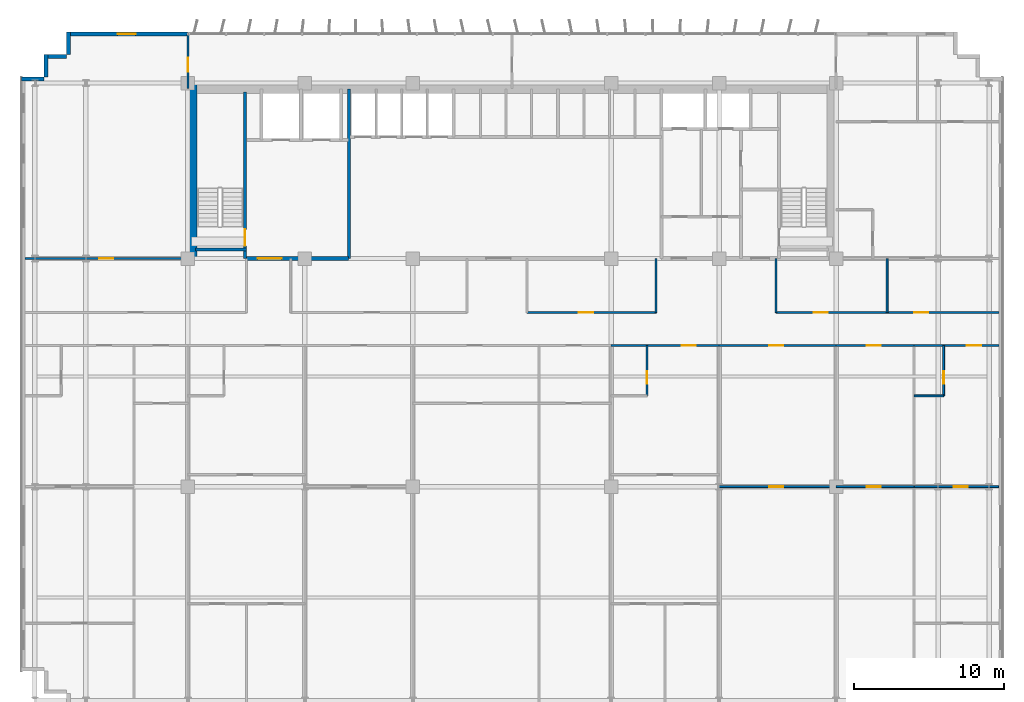
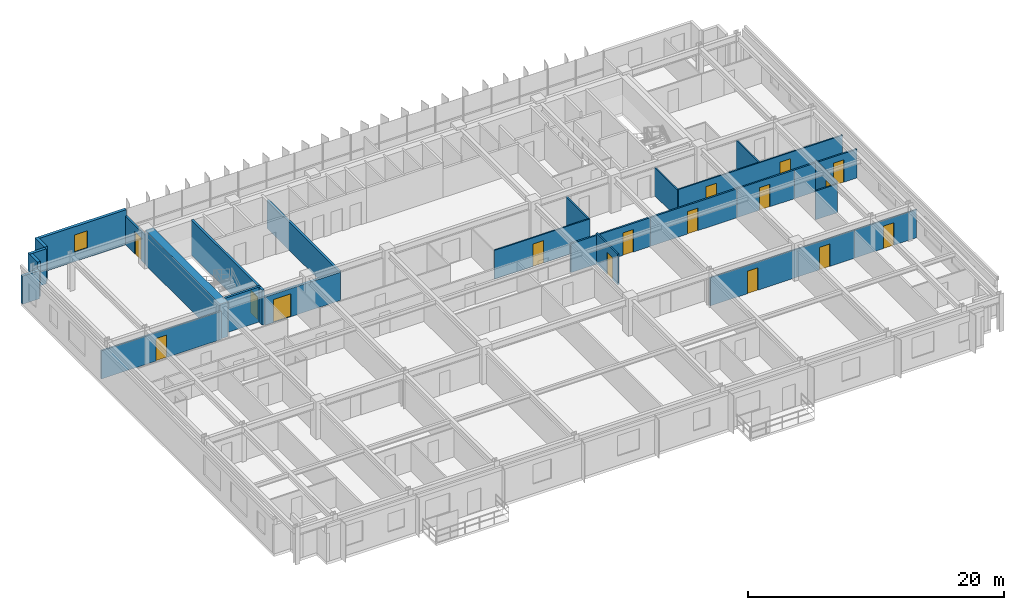
# One storey, part 17 of 22: 27 walls, 16 doors, 1 window, 17 openings.
"""IFC4 building model written with IfcOpenShell, lengths in metres."""

import ifcopenshell
import ifcopenshell.guid

model = None  # the IFC model being written
_history = None  # IfcOwnerHistory: only IFC2X3 demands one
_inside = {}  # id of a spatial element -> (the spatial element, [elements in it])
_under = {}  # id of a project, library or spatial element -> (it, [spatial elements below it])
_declared = {}  # id of a project -> (the project, [libraries it declares])
_typed = {}  # id of a type object -> (the type object, [elements of that type])
_made_of = {}  # id of a material, layer set ... -> (it, [elements and type objects made of it])


def new_model(schema):
    """Start an empty IFC model of exactly this schema.

    Asked for "IFC4X3", IfcOpenShell would pick the latest addendum, in which some entities
    have other attributes; the version numbers below select the first issue.
    IFC2X3 requires an IfcOwnerHistory on every rooted entity: one is made here for all.
    """
    global model, _history
    if schema == "IFC4X3":
        model = ifcopenshell.file(schema_version=(4, 3, 0, 0))
    else:
        model = ifcopenshell.file(schema=schema)
    _inside.clear()
    _under.clear()
    _declared.clear()
    _typed.clear()
    _made_of.clear()
    _history = None
    if model.schema == "IFC2X3":
        org = make("IfcOrganization", Name="unknown")
        user = make(
            "IfcPersonAndOrganization",
            ThePerson=make("IfcPerson", FamilyName="unknown"),
            TheOrganization=org,
        )
        app = make(
            "IfcApplication",
            ApplicationDeveloper=org,
            Version="unknown",
            ApplicationFullName="unknown",
            ApplicationIdentifier="unknown",
        )
        _history = make(
            "IfcOwnerHistory",
            OwningUser=user,
            OwningApplication=app,
            ChangeAction="ADDED",
            CreationDate=0,
        )
    return model


def make(cls, **values):
    """One entity of the class cls with the attributes given. An attribute that is None is left unset."""
    return model.create_entity(
        cls, **{name: value for name, value in values.items() if value is not None}
    )


def rooted(cls, **values):
    """An entity with a GlobalId (a new one), such as an element, a storey or a relation."""
    return make(cls, GlobalId=ifcopenshell.guid.new(), OwnerHistory=_history, **values)


def si_unit(unit_type, name, prefix=None):
    """IfcSIUnit, for example si_unit("LENGTHUNIT", "METRE", prefix="MILLI")."""
    return make("IfcSIUnit", UnitType=unit_type, Prefix=prefix, Name=name)


def assignment(units):
    """IfcUnitAssignment: the units of a project."""
    return None if units is None else make("IfcUnitAssignment", Units=units)


def point(xyz):
    """IfcCartesianPoint."""
    return None if xyz is None else make("IfcCartesianPoint", Coordinates=xyz)


def direction(xyz):
    """IfcDirection."""
    return None if xyz is None else make("IfcDirection", DirectionRatios=xyz)


def frame(location, z_axis=None, x_axis=None):
    """IfcAxis2Placement3D, a coordinate frame: its origin and axes. An axis left out is left unset."""
    return make(
        "IfcAxis2Placement3D",
        Location=point(location),
        Axis=direction(z_axis),
        RefDirection=direction(x_axis),
    )


def frame_2d(location, x_axis=None):
    """IfcAxis2Placement2D, a coordinate frame in the plane: its origin and x axis."""
    return make(
        "IfcAxis2Placement2D", Location=point(location), RefDirection=direction(x_axis)
    )


def origin():
    """The frame at (0, 0, 0) with its axes left unset."""
    return frame((0.0, 0.0, 0.0))


def place(relative_to, where):
    """IfcLocalPlacement: puts the frame where relative to a parent placement (None: the world)."""
    return make(
        "IfcLocalPlacement", PlacementRelTo=relative_to, RelativePlacement=where
    )


def context(
    kind, dimensions, precision=None, world=None, true_north=None, identifier=None
):
    """IfcGeometricRepresentationContext, for example the 3D "Model" context."""
    return make(
        "IfcGeometricRepresentationContext",
        ContextIdentifier=identifier,
        ContextType=kind,
        CoordinateSpaceDimension=dimensions,
        Precision=precision,
        WorldCoordinateSystem=world,
        TrueNorth=true_north,
    )


def subcontext(parent, identifier, kind, view, scale=None):
    """IfcGeometricRepresentationSubContext, for example "Body" below "Model"."""
    return make(
        "IfcGeometricRepresentationSubContext",
        ContextIdentifier=identifier,
        ContextType=kind,
        ParentContext=parent,
        TargetScale=scale,
        TargetView=view,
    )


def project(units=None, contexts=None):
    """IfcProject with its units and contexts."""
    return rooted(
        "IfcProject",
        Name="project",
        RepresentationContexts=contexts,
        UnitsInContext=assignment(units),
    )


def spatial(cls, under=None, at=None, **own):
    """A site, building, storey or space (cls), placed at a placement, below another one or the project."""
    s = rooted(cls, ObjectPlacement=at, **own)
    if under is not None:
        _under.setdefault(under.id(), (under, []))[1].append(s)
    return s


def profile(cls, at=None, kind="AREA", **sizes):
    """A parametric profile (cls). Its sizes go by their IFC names, for example OverallWidth=200.0."""
    return make(cls, ProfileType=kind, Position=at, **sizes)


def rectangle(**sizes):
    """IfcRectangleProfileDef."""
    return profile("IfcRectangleProfileDef", **sizes)


def extrude(swept, where, along, depth):
    """IfcExtrudedAreaSolid: the profile swept, set in the frame where, extruded along a direction by depth."""
    return make(
        "IfcExtrudedAreaSolid",
        SweptArea=swept,
        Position=where,
        ExtrudedDirection=direction(along),
        Depth=depth,
    )


def shape(context_of_items, identifier, shape_type, items):
    """IfcShapeRepresentation: the items that make up one representation, for example the "Body"."""
    return make(
        "IfcShapeRepresentation",
        ContextOfItems=context_of_items,
        RepresentationIdentifier=identifier,
        RepresentationType=shape_type,
        Items=items,
    )


def source(mapping_origin, context_of_items, identifier, shape_type, items):
    """IfcRepresentationMap: a shape defined once, which mapped items show again and again."""
    return make(
        "IfcRepresentationMap",
        MappingOrigin=mapping_origin,
        MappedRepresentation=shape(context_of_items, identifier, shape_type, items),
    )


def transform(
    local_origin,
    x_axis=None,
    y_axis=None,
    z_axis=None,
    scale=None,
    scale2=None,
    scale3=None,
    uniform=True,
):
    """IfcCartesianTransformationOperator3D, or its non-uniform kind. x_axis, y_axis, z_axis: its Axis1, 2, 3."""
    if uniform:
        return make(
            "IfcCartesianTransformationOperator3D",
            Axis1=direction(x_axis),
            Axis2=direction(y_axis),
            LocalOrigin=point(local_origin),
            Scale=scale,
            Axis3=direction(z_axis),
        )
    return make(
        "IfcCartesianTransformationOperator3DnonUniform",
        Axis1=direction(x_axis),
        Axis2=direction(y_axis),
        LocalOrigin=point(local_origin),
        Scale=scale,
        Axis3=direction(z_axis),
        Scale2=scale2,
        Scale3=scale3,
    )


def mapped(mapping_source, mapping_target):
    """IfcMappedItem: shows the shape of a source again, moved by a transform."""
    return make(
        "IfcMappedItem", MappingSource=mapping_source, MappingTarget=mapping_target
    )


def material(Name=None, Category=None):
    """IfcMaterial."""
    return make("IfcMaterial", Name=Name, Category=Category)


def layer(
    of_material, thickness, ventilated=None, Name=None, Category=None, Priority=None
):
    """IfcMaterialLayer: one layer of a wall or slab, of a material (None: an air gap)."""
    return make(
        "IfcMaterialLayer",
        Material=of_material,
        LayerThickness=thickness,
        IsVentilated=ventilated,
        Name=Name,
        Category=Category,
        Priority=Priority,
    )


def layer_set(layers, Name=None):
    """IfcMaterialLayerSet."""
    return make("IfcMaterialLayerSet", MaterialLayers=layers, LayerSetName=Name)


def made_of(thing, what):
    """Note that an element or type object is made of a material, layer set ...; save() writes the relation."""
    if what is not None:
        _made_of.setdefault(what.id(), (what, []))[1].append(thing)
    return thing


def type_object(cls, material=None, **own):
    """A type object (cls), such as IfcWallType, which elements share."""
    return made_of(rooted(cls, **own), material)


def element(
    cls,
    number,
    at=None,
    inside=None,
    cuts=None,
    type_object=None,
    material=None,
    context=None,
    identifier="Body",
    shape_type=None,
    held_by="IfcProductDefinitionShape",
    body=None,
    shapes=None,
    **own,
):
    """One element of the class cls, such as IfcWall. Its Tag is "e" and its number.

    at: its placement. inside: the storey or other place that contains it. cuts: it is an
    opening in that element (IfcRelVoidsElement). A single representation is given by context,
    identifier, shape_type and body (its items); several are given by shapes. held_by: the class
    of the entity that holds the representations. save() writes the other relations.
    """
    e = rooted(cls, Tag="e%d" % number, ObjectPlacement=at, **own)
    if body is not None:
        shapes = [shape(context, identifier, shape_type, body)]
    if shapes is not None:
        e.Representation = make(held_by, Representations=shapes)
    if inside is not None:
        _inside.setdefault(inside.id(), (inside, []))[1].append(e)
    if cuts is not None:
        rooted(
            "IfcRelVoidsElement", RelatingBuildingElement=cuts, RelatedOpeningElement=e
        )
    if type_object is not None:
        _typed.setdefault(type_object.id(), (type_object, []))[1].append(e)
    return made_of(e, material)


def fill(opening, filler):
    """IfcRelFillsElement: the door or window that sits in an opening."""
    return rooted(
        "IfcRelFillsElement",
        RelatingOpeningElement=opening,
        RelatedBuildingElement=filler,
    )


def aggregate(whole, parts):
    """IfcRelAggregates: a whole, such as a stair, and the parts it consists of."""
    return rooted("IfcRelAggregates", RelatingObject=whole, RelatedObjects=parts)


def save(model, path):
    """Write the relations noted so far, then the file.

    IfcRelAggregates (storeys below a building ...), IfcRelContainedInSpatialStructure (elements
    in a storey), IfcRelDefinesByType, IfcRelAssociatesMaterial and IfcRelDeclares: one each for
    every whole, place, type object, material and project.
    """
    for whole, parts in _under.values():
        aggregate(whole, parts)
    for where, things in _inside.values():
        rooted(
            "IfcRelContainedInSpatialStructure",
            RelatedElements=things,
            RelatingStructure=where,
        )
    for kind, things in _typed.values():
        rooted("IfcRelDefinesByType", RelatedObjects=things, RelatingType=kind)
    for what, things in _made_of.values():
        rooted("IfcRelAssociatesMaterial", RelatedObjects=things, RelatingMaterial=what)
    for by, libraries in _declared.values():
        rooted("IfcRelDeclares", RelatingContext=by, RelatedDefinitions=libraries)
    model.write(path)


model = new_model("IFC4")

# Units and contexts
model_context = context("Model", 3, precision=1e-05, world=origin(), true_north=direction((0.0, 1.0)))
body_context = subcontext(model_context, "Body", "Model", "MODEL_VIEW")
ifc_project = project(units=[si_unit("LENGTHUNIT", "METRE"), si_unit("AREAUNIT", "SQUARE_METRE"), si_unit("VOLUMEUNIT", "CUBIC_METRE"), si_unit("PLANEANGLEUNIT", "RADIAN"), si_unit("MASSUNIT", "GRAM", prefix="KILO")], contexts=[model_context])

# Site, building, storey
site_placement = place(None, origin())
site = spatial("IfcSite", under=ifc_project, at=site_placement, CompositionType="ELEMENT")
building_placement = place(site_placement, origin())
building = spatial("IfcBuilding", under=site, at=building_placement, Name="Trelvane Seafront Commons", CompositionType="ELEMENT")
storey_placement = place(building_placement, frame((0.0, 0.0, 48.699951171875)))
storey = spatial("IfcBuildingStorey", under=building, at=storey_placement, Name="L12", CompositionType="ELEMENT", Elevation=48.699951171875)

# Wall, opening, window
ifc_material_1 = material(Name="Precast concrete C40/50", Category="concrete")
ifc_layer_1 = layer(ifc_material_1, 0.260009765625, Name="ARCH-WALL-EXT260")
ifc_layer_set_1 = layer_set([ifc_layer_1], Name="Precast concrete C40/50")
wall_type_1 = type_object("IfcWallType", Name="ARCH-WALL-EXT260", PredefinedType="SOLIDWALL", material=ifc_layer_set_1)
wall_1_placement = place(storey_placement, frame((7.60009765625, 48.3701171875, 0.0), z_axis=(0.0, 0.0, 1.0), x_axis=(1.0, 0.0, 0.0)))
wall_1 = element("IfcWall", 1, at=wall_1_placement, inside=storey, type_object=wall_type_1, Name="EW-L12-NW-0192", PredefinedType="SOLIDWALL", context=body_context, shape_type="SweptSolid", body=[
    extrude(rectangle(XDim=8.0, YDim=0.260009765625, at=frame_2d((4.0, 0.0))), origin(), (0.0, 0.0, 1.0), 3.340087890625),
])
opening_1_placement = place(wall_1_placement, frame((3.30810546875, 0.0, 0.89990234375)))
opening_1 = element("IfcOpeningElement", 2, at=opening_1_placement, cuts=wall_1, Name="Opening W05", PredefinedType="OPENING", context=body_context, shape_type="SweptSolid", body=[
    extrude(rectangle(XDim=1.199951171875, YDim=1.64990234375, at=frame_2d((0.60009765625, 0.824951171875))), frame((0.0, 0.139892578125, 0.0), z_axis=(0.0, -1.0, 0.0), x_axis=(1.0, 0.0, 0.0)), (0.0, 0.0, 1.0), 0.280029296875),
])
ifc_material_2 = material(Name="Low-E coastal double glazing", Category="glass")
window_type = type_object("IfcWindowType", Name="ARCH-WIN-W05", PartitioningType="SINGLE_PANEL", PredefinedType="WINDOW", material=ifc_material_2)
shared_shape_1 = source(origin(), body_context, "Body", "SweptSolid", [
    extrude(rectangle(XDim=1.199951171875, YDim=1.64990234375, at=frame_2d((0.60009765625, 0.824951171875))), frame((0.0, 0.030029296875, 0.0), z_axis=(0.0, -1.0, 0.0), x_axis=(1.0, 0.0, 0.0)), (0.0, 0.0, 1.0), 0.06005859375),
])
window_placement = place(opening_1_placement, origin())
window = element("IfcWindow", 3, at=window_placement, inside=storey, type_object=window_type, Name="WIN-L12-00236", OverallHeight=1.64990234375, OverallWidth=1.199951171875, PartitioningType="SINGLE_PANEL", PredefinedType="WINDOW", context=body_context, shape_type="MappedRepresentation", body=[
    mapped(shared_shape_1, transform((0.0, 0.0, 0.0), x_axis=(1.0, 0.0, 0.0), y_axis=(0.0, 1.0, 0.0), z_axis=(0.0, 0.0, 1.0), scale=1.0)),
])
fill(opening_1, window)

# Walls
wall_2_placement = place(storey_placement, frame((4.5, 45.3701171875, 0.0), z_axis=(0.0, 0.0, 1.0), x_axis=(1.0, 0.0, 0.0)))
element("IfcWall", 4, at=wall_2_placement, inside=storey, type_object=wall_type_1, Name="EW-L12-00198", PredefinedType="SOLIDWALL", context=body_context, shape_type="SweptSolid", body=[
    extrude(rectangle(XDim=1.5, YDim=0.260009765625, at=frame_2d((0.75, 0.0))), origin(), (0.0, 0.0, 1.0), 2.68994140625),
])
for number, where, z_axis, x_axis, name in (
    (5, (6.1298828125, 45.5, 0.0), (0.0, 0.0, 1.0), (0.0, 1.0, 0.0), "EW-L12-00199"),
    (6, (6.0, 46.8701171875, 0.0), (0.0, 0.0, 1.0), (1.0, 0.0, 0.0), "EW-L12-00200"),
    (7, (7.6298828125, 47.0, 0.0), (0.0, 0.0, 1.0), (0.0, 1.0, 0.0), "EW-L12-00201"),
):
    element("IfcWall", number, at=place(storey_placement, frame(where, z_axis=z_axis, x_axis=x_axis)), inside=storey, type_object=wall_type_1, Name=name, PredefinedType="SOLIDWALL", context=body_context, shape_type="SweptSolid", body=[
        extrude(rectangle(XDim=1.5, YDim=0.260009765625, at=frame_2d((0.75, 0.0))), origin(), (0.0, 0.0, 1.0), 3.340087890625),
    ])

# Wall, opening, door
ifc_material_3 = material(Name="Concrete C40/50", Category="concrete")
ifc_layer_2 = layer(ifc_material_3, 0.25, Name="ARCH-WALL-FIRE250")
ifc_layer_set_2 = layer_set([ifc_layer_2], Name="Concrete C40/50")
wall_type_2 = type_object("IfcWallType", Name="ARCH-WALL-FIRE250", PredefinedType="PARTITIONING", material=ifc_layer_set_2)
wall_3_placement = place(storey_placement, frame((19.5, 33.39990234375, 0.0), z_axis=(0.0, 0.0, 1.0), x_axis=(1.0, 0.0, 0.0)))
wall_3 = element("IfcWall", 8, at=wall_3_placement, inside=storey, type_object=wall_type_2, Name="W-L12-CS-FFL-013", PredefinedType="PARTITIONING", context=body_context, shape_type="SweptSolid", body=[
    extrude(rectangle(XDim=6.800048828125, YDim=0.25, at=frame_2d((3.39990234375, 0.0))), origin(), (0.0, 0.0, 1.0), 2.68994140625),
])
opening_2_placement = place(wall_3_placement, frame((0.75, 0.0, 0.0)))
opening_2 = element("IfcOpeningElement", 9, at=opening_2_placement, cuts=wall_3, Name="Opening FD-L12-05", PredefinedType="OPENING", context=body_context, shape_type="SweptSolid", body=[
    extrude(rectangle(XDim=1.60009765625, YDim=2.199951171875, at=frame_2d((0.800048828125, 1.10009765625))), frame((0.0, 0.135009765625, 0.0), z_axis=(0.0, -1.0, 0.0), x_axis=(1.0, 0.0, 0.0)), (0.0, 0.0, 1.0), 0.27001953125),
])
ifc_material_4 = material(Name="Powder-coated aluminium frame", Category="aluminium")
door_type_1 = type_object("IfcDoorType", Name="ARCH-DR-FD60-1600", OperationType="DOUBLE_DOOR_SINGLE_SWING", PredefinedType="DOOR", material=ifc_material_4)
shared_shape_2 = source(origin(), body_context, "Body", "SweptSolid", [
    extrude(rectangle(XDim=1.60009765625, YDim=2.199951171875, at=frame_2d((0.800048828125, 1.10009765625))), frame((0.0, 0.02490234375, 0.0), z_axis=(0.0, -1.0, 0.0), x_axis=(1.0, 0.0, 0.0)), (0.0, 0.0, 1.0), 0.050048828125),
])
door_1_placement = place(opening_2_placement, origin())
door_1 = element("IfcDoor", 10, at=door_1_placement, inside=storey, type_object=door_type_1, Name="L12 Firefighting Lift Lobby Double Fire Door", OperationType="DOUBLE_DOOR_SINGLE_SWING", OverallHeight=2.199951171875, OverallWidth=1.60009765625, PredefinedType="DOOR", context=body_context, shape_type="MappedRepresentation", body=[
    mapped(shared_shape_2, transform((0.0, 0.0, 0.0), x_axis=(1.0, 0.0, 0.0), y_axis=(0.0, 1.0, 0.0), z_axis=(0.0, 0.0, 1.0), scale=1.0)),
])
fill(opening_2, door_1)

ifc_material_5 = material(Name="Gypsum Drywall Acoustic Partition")
ifc_layer_3 = layer(ifc_material_5, 0.1201171875, Name="ARCH-WALL-PART120")
ifc_layer_set_3 = layer_set([ifc_layer_3], Name="Gypsum Drywall Acoustic Partition")
wall_type_3 = type_object("IfcWallType", Name="ARCH-WALL-PART120", PredefinedType="PARTITIONING", material=ifc_layer_set_3)
wall_4_placement = place(storey_placement, frame((38.199951171875, 29.800048828125, 0.0), z_axis=(0.0, 0.0, 1.0), x_axis=(1.0, 0.0, 0.0)))
wall_4 = element("IfcWall", 11, at=wall_4_placement, inside=storey, type_object=wall_type_3, Name="W-L12-CORR-N-M2-040", PredefinedType="PARTITIONING", context=body_context, shape_type="SweptSolid", body=[
    extrude(rectangle(XDim=8.60009765625, YDim=0.1201171875, at=frame_2d((4.300048828125, 0.0))), origin(), (0.0, 0.0, 1.0), 2.751953125),
])
opening_3_placement = place(wall_4_placement, frame((3.4619140625, 0.0, 0.0)))
opening_3 = element("IfcOpeningElement", 12, at=opening_3_placement, cuts=wall_4, Name="Opening D-L12-20", PredefinedType="OPENING", context=body_context, shape_type="SweptSolid", body=[
    extrude(rectangle(XDim=0.949951171875, YDim=2.14990234375, at=frame_2d((0.47509765625, 1.074951171875))), frame((0.0, 0.070068359375, 0.0), z_axis=(0.0, -1.0, 0.0), x_axis=(1.0, 0.0, 0.0)), (0.0, 0.0, 1.0), 0.14013671875),
])
ifc_material_6 = material(Name="Acoustic timber door leaf", Category="wood")
door_type_2 = type_object("IfcDoorType", Name="ARCH-DR-INT950", OperationType="NOTDEFINED", PredefinedType="DOOR", material=ifc_material_6)
shared_shape_3 = source(origin(), body_context, "Body", "SweptSolid", [
    extrude(rectangle(XDim=0.949951171875, YDim=2.14990234375, at=frame_2d((0.47509765625, 1.074951171875))), frame((0.0, 0.02490234375, 0.0), z_axis=(0.0, -1.0, 0.0), x_axis=(1.0, 0.0, 0.0)), (0.0, 0.0, 1.0), 0.050048828125),
])
door_2_placement = place(opening_3_placement, origin())
door_2 = element("IfcDoor", 13, at=door_2_placement, inside=storey, type_object=door_type_2, Name="L12 Door 20", OperationType="SINGLE_SWING_RIGHT", OverallHeight=2.14990234375, OverallWidth=0.949951171875, PredefinedType="DOOR", context=body_context, shape_type="MappedRepresentation", body=[
    mapped(shared_shape_3, transform((0.0, 0.0, 0.0), x_axis=(1.0, 0.0, 0.0), y_axis=(0.0, 1.0, 0.0), z_axis=(0.0, 0.0, 1.0), scale=1.0)),
])
fill(opening_3, door_2)

# Wall, openings, doors
wall_5_placement = place(storey_placement, frame((54.800048828125, 29.800048828125, 0.0), z_axis=(0.0, 0.0, 1.0), x_axis=(1.0, 0.0, 0.0)))
wall_5 = element("IfcWall", 14, at=wall_5_placement, inside=storey, type_object=wall_type_3, Name="W-L12-CORR-N-E-041", PredefinedType="PARTITIONING", context=body_context, shape_type="SweptSolid", body=[
    extrude(rectangle(XDim=14.849853515625, YDim=0.1201171875, at=frame_2d((7.4248046875, 0.0))), origin(), (0.0, 0.0, 1.0), 2.751953125),
])
opening_4_placement = place(wall_5_placement, frame((2.5, 0.0, 0.0)))
opening_4 = element("IfcOpeningElement", 15, at=opening_4_placement, cuts=wall_5, Name="Opening D-L12-21", PredefinedType="OPENING", context=body_context, shape_type="SweptSolid", body=[
    extrude(rectangle(XDim=0.949951171875, YDim=2.14990234375, at=frame_2d((0.47509765625, 1.074951171875))), frame((0.0, 0.070068359375, 0.0), z_axis=(0.0, -1.0, 0.0), x_axis=(1.0, 0.0, 0.0)), (0.0, 0.0, 1.0), 0.14013671875),
])
opening_5_placement = place(wall_5_placement, frame((9.199951171875, 0.0, 0.0)))
opening_5 = element("IfcOpeningElement", 16, at=opening_5_placement, cuts=wall_5, Name="Opening D-L12-22", PredefinedType="OPENING", context=body_context, shape_type="SweptSolid", body=[
    extrude(rectangle(XDim=0.949951171875, YDim=2.14990234375, at=frame_2d((0.47509765625, 1.074951171875))), frame((0.0, 0.070068359375, 0.0), z_axis=(0.0, -1.0, 0.0), x_axis=(1.0, 0.0, 0.0)), (0.0, 0.0, 1.0), 0.14013671875),
])
door_3_placement = place(opening_4_placement, origin())
door_3 = element("IfcDoor", 17, at=door_3_placement, inside=storey, type_object=door_type_2, Name="L12 Door 21", OperationType="SINGLE_SWING_LEFT", OverallHeight=2.14990234375, OverallWidth=0.949951171875, PredefinedType="DOOR", context=body_context, shape_type="MappedRepresentation", body=[
    mapped(shared_shape_3, transform((0.0, 0.0, 0.0), x_axis=(1.0, 0.0, 0.0), y_axis=(0.0, 1.0, 0.0), z_axis=(0.0, 0.0, 1.0), scale=1.0)),
])
fill(opening_4, door_3)
door_4_placement = place(opening_5_placement, origin())
door_4 = element("IfcDoor", 18, at=door_4_placement, inside=storey, type_object=door_type_2, Name="L12 Door 22", OperationType="SINGLE_SWING_RIGHT", OverallHeight=2.14990234375, OverallWidth=0.949951171875, PredefinedType="DOOR", context=body_context, shape_type="MappedRepresentation", body=[
    mapped(shared_shape_3, transform((0.0, 0.0, 0.0), x_axis=(1.0, 0.0, 0.0), y_axis=(0.0, 1.0, 0.0), z_axis=(0.0, 0.0, 1.0), scale=1.0)),
])
fill(opening_5, door_4)

# Walls
for number, where, z_axis, x_axis, name in (
    (19, (62.199951171875, 29.800048828125, 0.0), (0.0, 0.0, 1.0), (0.0, 1.0, 0.0), "W-L12-N-LAUN-DV-042"),
    (20, (46.800048828125, 29.800048828125, 0.0), (0.0, 0.0, 1.0), (0.0, 1.0, 0.0), "W-L12-N-SPUR-E1-047"),
    (21, (54.800048828125, 29.800048828125, 0.0), (0.0, 0.0, 1.0), (0.0, 1.0, 0.0), "W-L12-N-SPUR-E2-048"),
):
    element("IfcWall", number, at=place(storey_placement, frame(where, z_axis=z_axis, x_axis=x_axis)), inside=storey, type_object=wall_type_3, Name=name, PredefinedType="PARTITIONING", context=body_context, shape_type="SweptSolid", body=[
        extrude(rectangle(XDim=3.599853515625, YDim=0.1201171875, at=frame_2d((1.7998046875, 0.0))), origin(), (0.0, 0.0, 1.0), 2.68994140625),
    ])

# Wall, opening, door
wall_6_placement = place(storey_placement, frame((46.199951171875, 24.25, 0.0), z_axis=(0.0, 0.0, 1.0), x_axis=(0.0, 1.0, 0.0)))
wall_6 = element("IfcWall", 22, at=wall_6_placement, inside=storey, type_object=wall_type_3, Name="W-L12-U7-BE-089", PredefinedType="PARTITIONING", context=body_context, shape_type="SweptSolid", body=[
    extrude(rectangle(XDim=3.35009765625, YDim=0.1201171875, at=frame_2d((1.675048828125, 0.0))), origin(), (0.0, 0.0, 1.0), 2.93994140625),
])
opening_6_placement = place(wall_6_placement, frame((0.800048828125, 0.0, 0.0)))
opening_6 = element("IfcOpeningElement", 23, at=opening_6_placement, cuts=wall_6, Name="Opening D-L12-49", PredefinedType="OPENING", context=body_context, shape_type="SweptSolid", body=[
    extrude(rectangle(XDim=0.85009765625, YDim=2.10009765625, at=frame_2d((0.425048828125, 1.050048828125))), frame((0.0, 0.070068359375, 0.0), z_axis=(0.0, -1.0, 0.0), x_axis=(1.0, 0.0, 0.0)), (0.0, 0.0, 1.0), 0.14013671875),
])
door_type_3 = type_object("IfcDoorType", Name="ARCH-DR-INT850", OperationType="NOTDEFINED", PredefinedType="DOOR", material=ifc_material_6)
shared_shape_4 = source(origin(), body_context, "Body", "SweptSolid", [
    extrude(rectangle(XDim=0.85009765625, YDim=2.10009765625, at=frame_2d((0.425048828125, 1.050048828125))), frame((0.0, 0.02490234375, 0.0), z_axis=(0.0, -1.0, 0.0), x_axis=(1.0, 0.0, 0.0)), (0.0, 0.0, 1.0), 0.050048828125),
])
door_5_placement = place(opening_6_placement, origin())
door_5 = element("IfcDoor", 24, at=door_5_placement, inside=storey, type_object=door_type_3, Name="L12 Door 49", OperationType="SINGLE_SWING_LEFT", OverallHeight=2.10009765625, OverallWidth=0.85009765625, PredefinedType="DOOR", context=body_context, shape_type="MappedRepresentation", body=[
    mapped(shared_shape_4, transform((0.0, 0.0, 0.0), x_axis=(1.0, 0.0, 0.0), y_axis=(0.0, 1.0, 0.0), z_axis=(0.0, 0.0, 1.0), scale=1.0)),
])
fill(opening_6, door_5)

wall_7_placement = place(storey_placement, frame((51.0, 18.199951171875, 0.0), z_axis=(0.0, 0.0, 1.0), x_axis=(1.0, 0.0, 0.0)))
wall_7 = element("IfcWall", 25, at=wall_7_placement, inside=storey, type_object=wall_type_3, Name="W-L12-U8-DIV-096", PredefinedType="PARTITIONING", context=body_context, shape_type="SweptSolid", body=[
    extrude(rectangle(XDim=7.800048828125, YDim=0.1201171875, at=frame_2d((3.89990234375, 0.0))), origin(), (0.0, 0.0, 1.0), 2.68994140625),
])
opening_7_placement = place(wall_7_placement, frame((3.3330078125, 0.0, 0.0)))
opening_7 = element("IfcOpeningElement", 26, at=opening_7_placement, cuts=wall_7, Name="Opening D-L12-54", PredefinedType="OPENING", context=body_context, shape_type="SweptSolid", body=[
    extrude(rectangle(XDim=0.949951171875, YDim=2.14990234375, at=frame_2d((0.47509765625, 1.074951171875))), frame((0.0, 0.070068359375, 0.0), z_axis=(0.0, -1.0, 0.0), x_axis=(1.0, 0.0, 0.0)), (0.0, 0.0, 1.0), 0.14013671875),
])
door_6_placement = place(opening_7_placement, origin())
door_6 = element("IfcDoor", 27, at=door_6_placement, inside=storey, type_object=door_type_2, Name="L12 Door 54", OperationType="SINGLE_SWING_RIGHT", OverallHeight=2.14990234375, OverallWidth=0.949951171875, PredefinedType="DOOR", context=body_context, shape_type="MappedRepresentation", body=[
    mapped(shared_shape_3, transform((0.0, 0.0, 0.0), x_axis=(1.0, 0.0, 0.0), y_axis=(0.0, 1.0, 0.0), z_axis=(0.0, 0.0, 1.0), scale=1.0)),
])
fill(opening_7, door_6)

wall_8_placement = place(storey_placement, frame((58.800048828125, 18.199951171875, 0.0), z_axis=(0.0, 0.0, 1.0), x_axis=(1.0, 0.0, 0.0)))
wall_8 = element("IfcWall", 28, at=wall_8_placement, inside=storey, type_object=wall_type_3, Name="W-L12-U9-DIV-098", PredefinedType="PARTITIONING", context=body_context, shape_type="SweptSolid", body=[
    extrude(rectangle(XDim=5.199951171875, YDim=0.1201171875, at=frame_2d((2.60009765625, 0.0))), origin(), (0.0, 0.0, 1.0), 2.68994140625),
])
opening_8_placement = place(wall_8_placement, frame((2.032958984375, 0.0, 0.0)))
opening_8 = element("IfcOpeningElement", 29, at=opening_8_placement, cuts=wall_8, Name="Opening D-L12-56", PredefinedType="OPENING", context=body_context, shape_type="SweptSolid", body=[
    extrude(rectangle(XDim=0.949951171875, YDim=2.14990234375, at=frame_2d((0.47509765625, 1.074951171875))), frame((0.0, 0.070068359375, 0.0), z_axis=(0.0, -1.0, 0.0), x_axis=(1.0, 0.0, 0.0)), (0.0, 0.0, 1.0), 0.14013671875),
])
door_7_placement = place(opening_8_placement, origin())
door_7 = element("IfcDoor", 30, at=door_7_placement, inside=storey, type_object=door_type_2, Name="L12 Door 56", OperationType="SINGLE_SWING_RIGHT", OverallHeight=2.14990234375, OverallWidth=0.949951171875, PredefinedType="DOOR", context=body_context, shape_type="MappedRepresentation", body=[
    mapped(shared_shape_3, transform((0.0, 0.0, 0.0), x_axis=(1.0, 0.0, 0.0), y_axis=(0.0, 1.0, 0.0), z_axis=(0.0, 0.0, 1.0), scale=1.0)),
])
fill(opening_8, door_7)

wall_9_placement = place(storey_placement, frame((64.0, 18.199951171875, 0.0), z_axis=(0.0, 0.0, 1.0), x_axis=(1.0, 0.0, 0.0)))
wall_9 = element("IfcWall", 31, at=wall_9_placement, inside=storey, type_object=wall_type_3, Name="W-L12-U10-KL-099", PredefinedType="PARTITIONING", context=body_context, shape_type="SweptSolid", body=[
    extrude(rectangle(XDim=5.639892578125, YDim=0.1201171875, at=frame_2d((2.81982421875, 0.0))), origin(), (0.0, 0.0, 1.0), 2.68994140625),
])
opening_9_placement = place(wall_9_placement, frame((2.6259765625, 0.0, 0.0)))
opening_9 = element("IfcOpeningElement", 32, at=opening_9_placement, cuts=wall_9, Name="Opening D-L12-57", PredefinedType="OPENING", context=body_context, shape_type="SweptSolid", body=[
    extrude(rectangle(XDim=0.949951171875, YDim=2.14990234375, at=frame_2d((0.47509765625, 1.074951171875))), frame((0.0, 0.070068359375, 0.0), z_axis=(0.0, -1.0, 0.0), x_axis=(1.0, 0.0, 0.0)), (0.0, 0.0, 1.0), 0.14013671875),
])
door_8_placement = place(opening_9_placement, origin())
door_8 = element("IfcDoor", 33, at=door_8_placement, inside=storey, type_object=door_type_2, Name="L12 Door 57", OperationType="SINGLE_SWING_LEFT", OverallHeight=2.14990234375, OverallWidth=0.949951171875, PredefinedType="DOOR", context=body_context, shape_type="MappedRepresentation", body=[
    mapped(shared_shape_3, transform((0.0, 0.0, 0.0), x_axis=(1.0, 0.0, 0.0), y_axis=(0.0, 1.0, 0.0), z_axis=(0.0, 0.0, 1.0), scale=1.0)),
])
fill(opening_9, door_8)

wall_10_placement = place(storey_placement, frame((65.967529296875, 24.25, 0.0), z_axis=(0.0, 0.0, 1.0), x_axis=(0.0, 1.0, 0.0)))
wall_10 = element("IfcWall", 34, at=wall_10_placement, inside=storey, type_object=wall_type_3, Name="W-L12-U10-BE-100", PredefinedType="PARTITIONING", context=body_context, shape_type="SweptSolid", body=[
    extrude(rectangle(XDim=3.35009765625, YDim=0.1201171875, at=frame_2d((1.675048828125, 0.0))), origin(), (0.0, 0.0, 1.0), 2.93994140625),
])
opening_10_placement = place(wall_10_placement, frame((0.800048828125, 0.0, 0.0)))
opening_10 = element("IfcOpeningElement", 35, at=opening_10_placement, cuts=wall_10, Name="Opening D-L12-58", PredefinedType="OPENING", context=body_context, shape_type="SweptSolid", body=[
    extrude(rectangle(XDim=0.85009765625, YDim=2.10009765625, at=frame_2d((0.425048828125, 1.050048828125))), frame((0.0, 0.070068359375, 0.0), z_axis=(0.0, -1.0, 0.0), x_axis=(1.0, 0.0, 0.0)), (0.0, 0.0, 1.0), 0.14013671875),
])
door_9_placement = place(opening_10_placement, origin())
door_9 = element("IfcDoor", 36, at=door_9_placement, inside=storey, type_object=door_type_3, Name="L12 Door 58", OperationType="SINGLE_SWING_RIGHT", OverallHeight=2.10009765625, OverallWidth=0.85009765625, PredefinedType="DOOR", context=body_context, shape_type="MappedRepresentation", body=[
    mapped(shared_shape_4, transform((0.0, 0.0, 0.0), x_axis=(1.0, 0.0, 0.0), y_axis=(0.0, 1.0, 0.0), z_axis=(0.0, 0.0, 1.0), scale=1.0)),
])
fill(opening_10, door_9)

# Wall
wall_11_placement = place(storey_placement, frame((64.0, 24.25, 0.0), z_axis=(0.0, 0.0, 1.0), x_axis=(1.0, 0.0, 0.0)))
element("IfcWall", 37, at=wall_11_placement, inside=storey, type_object=wall_type_3, Name="W-L12-U10-BS-101", PredefinedType="PARTITIONING", context=body_context, shape_type="SweptSolid", body=[
    extrude(rectangle(XDim=1.967529296875, YDim=0.1201171875, at=frame_2d((0.98388671875, 0.0))), origin(), (0.0, 0.0, 1.0), 2.751953125),
])

# Wall, opening, door
ifc_layer_4 = layer(ifc_material_5, 0.14990234375, Name="ARCH-WALL-PART150")
ifc_layer_set_4 = layer_set([ifc_layer_4], Name="Gypsum Drywall Acoustic Partition")
wall_type_4 = type_object("IfcWallType", Name="ARCH-WALL-PART150", PredefinedType="PARTITIONING", material=ifc_layer_set_4)
wall_12_placement = place(storey_placement, frame((4.75, 33.39990234375, 0.0), z_axis=(0.0, 0.0, 1.0), x_axis=(1.0, 0.0, 0.0)))
wall_12 = element("IfcWall", 38, at=wall_12_placement, inside=storey, type_object=wall_type_4, Name="W-L12-NW-ENT-049", PredefinedType="PARTITIONING", context=body_context, shape_type="SweptSolid", body=[
    extrude(rectangle(XDim=10.85009765625, YDim=0.14990234375, at=frame_2d((5.425048828125, 0.0))), origin(), (0.0, 0.0, 1.0), 2.68994140625),
])
opening_11_placement = place(wall_12_placement, frame((4.93994140625, 0.0, 0.0)))
opening_11 = element("IfcOpeningElement", 39, at=opening_11_placement, cuts=wall_12, Name="Opening FD-L12-23", PredefinedType="OPENING", context=body_context, shape_type="SweptSolid", body=[
    extrude(rectangle(XDim=0.949951171875, YDim=2.14990234375, at=frame_2d((0.47509765625, 1.074951171875))), frame((0.0, 0.0849609375, 0.0), z_axis=(0.0, -1.0, 0.0), x_axis=(1.0, 0.0, 0.0)), (0.0, 0.0, 1.0), 0.169921875),
])
door_type_4 = type_object("IfcDoorType", Name="ARCH-DR-FD60-950", OperationType="NOTDEFINED", PredefinedType="DOOR", material=ifc_material_4)
door_10_placement = place(opening_11_placement, origin())
door_10 = element("IfcDoor", 40, at=door_10_placement, inside=storey, type_object=door_type_4, Name="L12 NW Suite Entrance Door", OperationType="SINGLE_SWING_LEFT", OverallHeight=2.14990234375, OverallWidth=0.949951171875, PredefinedType="DOOR", context=body_context, shape_type="MappedRepresentation", body=[
    mapped(shared_shape_3, transform((0.0, 0.0, 0.0), x_axis=(1.0, 0.0, 0.0), y_axis=(0.0, 1.0, 0.0), z_axis=(0.0, 0.0, 1.0), scale=1.0)),
])
fill(opening_11, door_10)

wall_13_placement = place(storey_placement, frame((15.60009765625, 44.75, 0.0), z_axis=(0.0, 0.0, 1.0), x_axis=(0.0, 1.0, 0.0)))
wall_13 = element("IfcWall", 41, at=wall_13_placement, inside=storey, type_object=wall_type_4, Name="W-L12-N-LINK-W-057", PredefinedType="PARTITIONING", context=body_context, shape_type="SweptSolid", body=[
    extrude(rectangle(XDim=3.610107421875, YDim=0.14990234375, at=frame_2d((1.80517578125, 0.0))), origin(), (0.0, 0.0, 1.0), 2.751953125),
])
opening_12_placement = place(wall_13_placement, frame((1.10009765625, 0.0, 0.0)))
opening_12 = element("IfcOpeningElement", 42, at=opening_12_placement, cuts=wall_13, Name="Opening FD-L12-29", PredefinedType="OPENING", context=body_context, shape_type="SweptSolid", body=[
    extrude(rectangle(XDim=0.949951171875, YDim=2.14990234375, at=frame_2d((0.47509765625, 1.074951171875))), frame((0.0, 0.0849609375, 0.0), z_axis=(0.0, -1.0, 0.0), x_axis=(1.0, 0.0, 0.0)), (0.0, 0.0, 1.0), 0.169921875),
])
door_11_placement = place(opening_12_placement, origin())
door_11 = element("IfcDoor", 43, at=door_11_placement, inside=storey, type_object=door_type_4, Name="L12 Door 29", OperationType="SINGLE_SWING_LEFT", OverallHeight=2.14990234375, OverallWidth=0.949951171875, PredefinedType="DOOR", context=body_context, shape_type="MappedRepresentation", body=[
    mapped(shared_shape_3, transform((0.0, 0.0, 0.0), x_axis=(1.0, 0.0, 0.0), y_axis=(0.0, 1.0, 0.0), z_axis=(0.0, 0.0, 1.0), scale=1.0)),
])
fill(opening_12, door_11)

wall_14_placement = place(storey_placement, frame((43.800048828125, 27.60009765625, 0.0), z_axis=(0.0, 0.0, 1.0), x_axis=(1.0, 0.0, 0.0)))
wall_14 = element("IfcWall", 44, at=wall_14_placement, inside=storey, type_object=wall_type_4, Name="W-L12-CS-BAY-7-091", PredefinedType="PARTITIONING", context=body_context, shape_type="SweptSolid", body=[
    extrude(rectangle(XDim=7.199951171875, YDim=0.14990234375, at=frame_2d((3.60009765625, 0.0))), origin(), (0.0, 0.0, 1.0), 2.751953125),
])
opening_13_placement = place(wall_14_placement, frame((4.7060546875, 0.0, 0.0)))
opening_13 = element("IfcOpeningElement", 45, at=opening_13_placement, cuts=wall_14, Name="Opening FD-L12-50", PredefinedType="OPENING", context=body_context, shape_type="SweptSolid", body=[
    extrude(rectangle(XDim=0.949951171875, YDim=2.14990234375, at=frame_2d((0.47509765625, 1.074951171875))), frame((0.0, 0.0849609375, 0.0), z_axis=(0.0, -1.0, 0.0), x_axis=(1.0, 0.0, 0.0)), (0.0, 0.0, 1.0), 0.169921875),
])
door_12_placement = place(opening_13_placement, origin())
door_12 = element("IfcDoor", 46, at=door_12_placement, inside=storey, type_object=door_type_4, Name="L12 Unit 07 Entrance Door", OperationType="SINGLE_SWING_RIGHT", OverallHeight=2.14990234375, OverallWidth=0.949951171875, PredefinedType="DOOR", context=body_context, shape_type="MappedRepresentation", body=[
    mapped(shared_shape_3, transform((0.0, 0.0, 0.0), x_axis=(1.0, 0.0, 0.0), y_axis=(0.0, 1.0, 0.0), z_axis=(0.0, 0.0, 1.0), scale=1.0)),
])
fill(opening_13, door_12)

wall_15_placement = place(storey_placement, frame((51.0, 27.60009765625, 0.0), z_axis=(0.0, 0.0, 1.0), x_axis=(1.0, 0.0, 0.0)))
wall_15 = element("IfcWall", 47, at=wall_15_placement, inside=storey, type_object=wall_type_4, Name="W-L12-CS-BAY-8-095", PredefinedType="PARTITIONING", context=body_context, shape_type="SweptSolid", body=[
    extrude(rectangle(XDim=7.800048828125, YDim=0.14990234375, at=frame_2d((3.89990234375, 0.0))), origin(), (0.0, 0.0, 1.0), 2.751953125),
])
opening_14_placement = place(wall_15_placement, frame((3.3330078125, 0.0, 0.0)))
opening_14 = element("IfcOpeningElement", 48, at=opening_14_placement, cuts=wall_15, Name="Opening FD-L12-53", PredefinedType="OPENING", context=body_context, shape_type="SweptSolid", body=[
    extrude(rectangle(XDim=0.949951171875, YDim=2.14990234375, at=frame_2d((0.47509765625, 1.074951171875))), frame((0.0, 0.0849609375, 0.0), z_axis=(0.0, -1.0, 0.0), x_axis=(1.0, 0.0, 0.0)), (0.0, 0.0, 1.0), 0.169921875),
])
door_13_placement = place(opening_14_placement, origin())
door_13 = element("IfcDoor", 49, at=door_13_placement, inside=storey, type_object=door_type_4, Name="L12 Bay 08 Entrance Door", OperationType="SINGLE_SWING_LEFT", OverallHeight=2.14990234375, OverallWidth=0.949951171875, PredefinedType="DOOR", context=body_context, shape_type="MappedRepresentation", body=[
    mapped(shared_shape_3, transform((0.0, 0.0, 0.0), x_axis=(1.0, 0.0, 0.0), y_axis=(0.0, 1.0, 0.0), z_axis=(0.0, 0.0, 1.0), scale=1.0)),
])
fill(opening_14, door_13)

wall_16_placement = place(storey_placement, frame((58.800048828125, 27.60009765625, 0.0), z_axis=(0.0, 0.0, 1.0), x_axis=(1.0, 0.0, 0.0)))
wall_16 = element("IfcWall", 50, at=wall_16_placement, inside=storey, type_object=wall_type_4, Name="W-L12-CS-BAY-9-097", PredefinedType="PARTITIONING", context=body_context, shape_type="SweptSolid", body=[
    extrude(rectangle(XDim=5.199951171875, YDim=0.14990234375, at=frame_2d((2.60009765625, 0.0))), origin(), (0.0, 0.0, 1.0), 2.751953125),
])
opening_15_placement = place(wall_16_placement, frame((2.032958984375, 0.0, 0.0)))
opening_15 = element("IfcOpeningElement", 51, at=opening_15_placement, cuts=wall_16, Name="Opening FD-L12-55", PredefinedType="OPENING", context=body_context, shape_type="SweptSolid", body=[
    extrude(rectangle(XDim=0.949951171875, YDim=2.14990234375, at=frame_2d((0.47509765625, 1.074951171875))), frame((0.0, 0.0849609375, 0.0), z_axis=(0.0, -1.0, 0.0), x_axis=(1.0, 0.0, 0.0)), (0.0, 0.0, 1.0), 0.169921875),
])
door_14_placement = place(opening_15_placement, origin())
door_14 = element("IfcDoor", 52, at=door_14_placement, inside=storey, type_object=door_type_4, Name="L12 Bay 09 Entrance Door", OperationType="SINGLE_SWING_LEFT", OverallHeight=2.14990234375, OverallWidth=0.949951171875, PredefinedType="DOOR", context=body_context, shape_type="MappedRepresentation", body=[
    mapped(shared_shape_3, transform((0.0, 0.0, 0.0), x_axis=(1.0, 0.0, 0.0), y_axis=(0.0, 1.0, 0.0), z_axis=(0.0, 0.0, 1.0), scale=1.0)),
])
fill(opening_15, door_14)

wall_17_placement = place(storey_placement, frame((64.0, 27.60009765625, 0.0), z_axis=(0.0, 0.0, 1.0), x_axis=(1.0, 0.0, 0.0)))
wall_17 = element("IfcWall", 53, at=wall_17_placement, inside=storey, type_object=wall_type_4, Name="W-L12-CS-BAY-10-102", PredefinedType="PARTITIONING", context=body_context, shape_type="SweptSolid", body=[
    extrude(rectangle(XDim=5.655029296875, YDim=0.14990234375, at=frame_2d((2.82763671875, 0.0))), origin(), (0.0, 0.0, 1.0), 2.751953125),
])
opening_16_placement = place(wall_17_placement, frame((3.52099609375, 0.0, 0.0)))
opening_16 = element("IfcOpeningElement", 54, at=opening_16_placement, cuts=wall_17, Name="Opening FD-L12-59", PredefinedType="OPENING", context=body_context, shape_type="SweptSolid", body=[
    extrude(rectangle(XDim=0.949951171875, YDim=2.14990234375, at=frame_2d((0.47509765625, 1.074951171875))), frame((0.0, 0.0849609375, 0.0), z_axis=(0.0, -1.0, 0.0), x_axis=(1.0, 0.0, 0.0)), (0.0, 0.0, 1.0), 0.169921875),
])
door_15_placement = place(opening_16_placement, origin())
door_15 = element("IfcDoor", 55, at=door_15_placement, inside=storey, type_object=door_type_4, Name="L12 Unit 10 Entrance Door", OperationType="SINGLE_SWING_LEFT", OverallHeight=2.14990234375, OverallWidth=0.949951171875, PredefinedType="DOOR", context=body_context, shape_type="MappedRepresentation", body=[
    mapped(shared_shape_3, transform((0.0, 0.0, 0.0), x_axis=(1.0, 0.0, 0.0), y_axis=(0.0, 1.0, 0.0), z_axis=(0.0, 0.0, 1.0), scale=1.0)),
])
fill(opening_16, door_15)

# Walls
ifc_layer_5 = layer(ifc_material_3, 0.199951171875, Name="ARCH-WALL-SHAFT200")
ifc_layer_set_5 = layer_set([ifc_layer_5], Name="Concrete C40/50")
wall_type_5 = type_object("IfcWallType", Name="ARCH-WALL-SHAFT200", PredefinedType="SOLIDWALL", material=ifc_layer_set_5)
wall_18_placement = place(storey_placement, frame((26.35009765625, 33.39990234375, 0.0), z_axis=(0.0, 0.0, 1.0), x_axis=(0.0, 1.0, 0.0)))
element("IfcWall", 56, at=wall_18_placement, inside=storey, type_object=wall_type_5, Name="W-L12-FFL-EAST-012", PredefinedType="SOLIDWALL", context=body_context, shape_type="SweptSolid", body=[
    extrude(rectangle(XDim=11.300048828125, YDim=0.199951171875, at=frame_2d((5.64990234375, 0.0))), origin(), (0.0, 0.0, 1.0), 2.68994140625),
])
ifc_material_7 = material(Name="Concrete C60/75", Category="concrete")
ifc_layer_6 = layer(ifc_material_7, 0.699951171875, Name="STR-WALL-CORE700")
ifc_layer_set_6 = layer_set([ifc_layer_6], Name="Concrete C60/75")
wall_type_6 = type_object("IfcWallType", Name="STR-WALL-CORE700", PredefinedType="SHEAR", material=ifc_layer_set_6)
wall_19_placement = place(storey_placement, frame((15.85009765625, 33.39990234375, 0.0), z_axis=(0.0, 0.0, 1.0), x_axis=(0.0, 1.0, 0.0)))
element("IfcWall", 57, at=wall_19_placement, inside=storey, type_object=wall_type_6, Name="W-L12-CW-END-002", PredefinedType="SHEAR", context=body_context, shape_type="SweptSolid", body=[
    extrude(rectangle(XDim=11.7001953125, YDim=0.699951171875, at=frame_2d((5.85009765625, 0.0))), origin(), (0.0, 0.0, 1.0), 3.340087890625),
])
ifc_material_8 = material(Name="Concrete C50/60", Category="concrete")
ifc_layer_7 = layer(ifc_material_8, 0.199951171875, Name="STR-WALL-STAIR200")
ifc_layer_set_7 = layer_set([ifc_layer_7], Name="Concrete C50/60")
wall_type_7 = type_object("IfcWallType", Name="STR-WALL-STAIR200", PredefinedType="SHEAR", material=ifc_layer_set_7)
wall_20_placement = place(storey_placement, frame((16.10009765625, 34.0, 0.0), z_axis=(0.0, 0.0, 1.0), x_axis=(1.0, 0.0, 0.0)))
element("IfcWall", 58, at=wall_20_placement, inside=storey, type_object=wall_type_7, Name="W-L12-ST1-S-004", PredefinedType="SHEAR", context=body_context, shape_type="SweptSolid", body=[
    extrude(rectangle(XDim=3.39990234375, YDim=0.199951171875, at=frame_2d((1.699951171875, 0.0))), origin(), (0.0, 0.0, 1.0), 3.340087890625),
])

# Wall, opening, door
wall_21_placement = place(storey_placement, frame((19.39990234375, 33.39990234375, 0.0), z_axis=(0.0, 0.0, 1.0), x_axis=(0.0, 1.0, 0.0)))
wall_21 = element("IfcWall", 59, at=wall_21_placement, inside=storey, type_object=wall_type_7, Name="W-L12-ST1-E-005", PredefinedType="SHEAR", context=body_context, shape_type="SweptSolid", body=[
    extrude(rectangle(XDim=11.10009765625, YDim=0.199951171875, at=frame_2d((5.550048828125, 0.0))), origin(), (0.0, 0.0, 1.0), 3.340087890625),
])
opening_17_placement = place(wall_21_placement, frame((0.85009765625, 0.0, 0.0)))
opening_17 = element("IfcOpeningElement", 60, at=opening_17_placement, cuts=wall_21, Name="Opening ST-D1-L12", PredefinedType="OPENING", context=body_context, shape_type="SweptSolid", body=[
    extrude(rectangle(XDim=1.10009765625, YDim=2.14990234375, at=frame_2d((0.550048828125, 1.074951171875))), frame((0.0, 0.10986328125, 0.0), z_axis=(0.0, -1.0, 0.0), x_axis=(1.0, 0.0, 0.0)), (0.0, 0.0, 1.0), 0.219970703125),
])
door_type_5 = type_object("IfcDoorType", Name="ARCH-DR-FD90-1100", OperationType="NOTDEFINED", PredefinedType="DOOR", material=ifc_material_4)
shared_shape_5 = source(origin(), body_context, "Body", "SweptSolid", [
    extrude(rectangle(XDim=1.10009765625, YDim=2.14990234375, at=frame_2d((0.550048828125, 1.074951171875))), frame((0.0, 0.02490234375, 0.0), z_axis=(0.0, -1.0, 0.0), x_axis=(1.0, 0.0, 0.0)), (0.0, 0.0, 1.0), 0.050048828125),
])
door_16_placement = place(opening_17_placement, origin())
door_16 = element("IfcDoor", 61, at=door_16_placement, inside=storey, type_object=door_type_5, Name="L12 Stair ST-1 Lobby Fire Door", OperationType="SINGLE_SWING_LEFT", OverallHeight=2.14990234375, OverallWidth=1.10009765625, PredefinedType="DOOR", context=body_context, shape_type="MappedRepresentation", body=[
    mapped(shared_shape_5, transform((0.0, 0.0, 0.0), x_axis=(1.0, 0.0, 0.0), y_axis=(0.0, 1.0, 0.0), z_axis=(0.0, 0.0, 1.0), scale=1.0)),
])
fill(opening_17, door_16)

save(model, "model.ifc")
